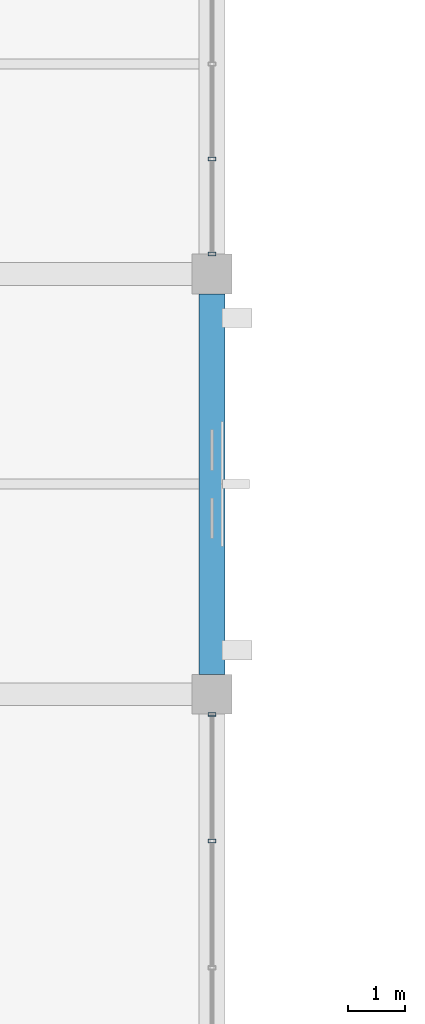
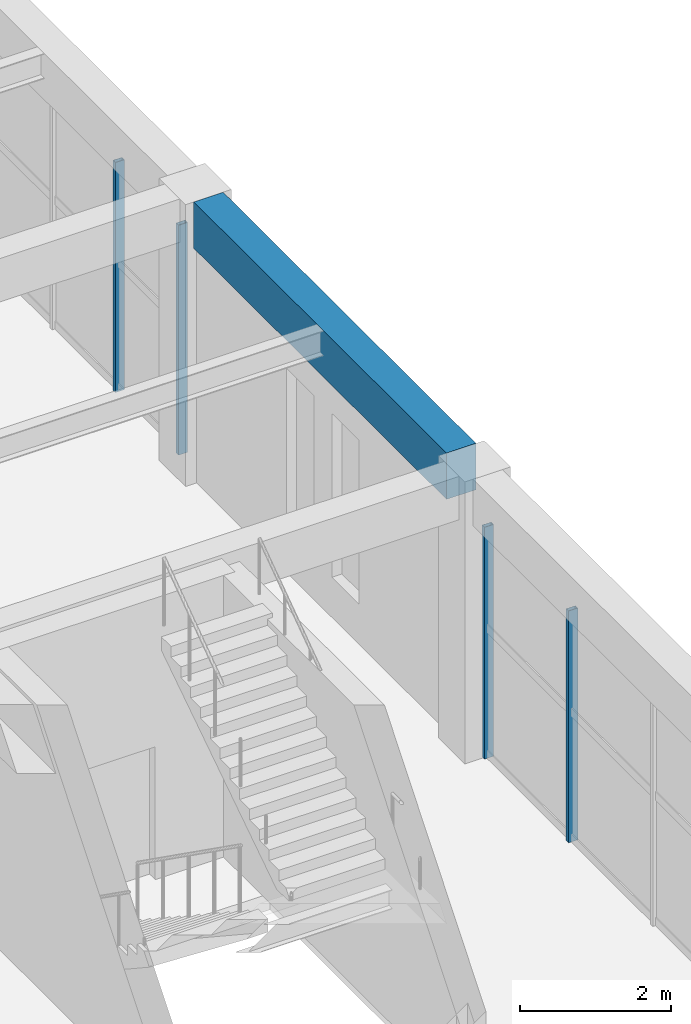
# One storey, part 16 of 161: 4 members, 1 beam, 2 elements without a shape of their own.
"""IFC4 building model written with IfcOpenShell, lengths in metres."""

from ifc_helpers import new_model, si_unit, direction, frame, origin, origin_2d, place, context, subcontext, project, spatial, rectangle, hollow_rectangle, extrude, material, material_profile, profile_set, type_object, element, aggregate, save


model = new_model("IFC4")

# Units and contexts
model_context = context("Model", 3, precision=1e-05, world=origin(), true_north=direction((0.0, 1.0)))
body_context = subcontext(model_context, "Body", "Model", "MODEL_VIEW")
ifc_project = project(units=[si_unit("LENGTHUNIT", "METRE"), si_unit("AREAUNIT", "SQUARE_METRE"), si_unit("VOLUMEUNIT", "CUBIC_METRE"), si_unit("PLANEANGLEUNIT", "RADIAN"), si_unit("MASSUNIT", "GRAM", prefix="KILO")], contexts=[model_context])

# Site, building, storey
site_placement = place(None, origin())
site = spatial("IfcSite", under=ifc_project, at=site_placement, CompositionType="ELEMENT")
building_placement = place(site_placement, origin())
building = spatial("IfcBuilding", under=site, at=building_placement, Name="Cimatlan Art Gallery", CompositionType="ELEMENT")
storey_placement = place(building_placement, frame((0.0, 0.0, 5.39990234375)))
storey = spatial("IfcBuildingStorey", under=building, at=storey_placement, Name="L01", CompositionType="ELEMENT", Elevation=5.39990234375)

# Beam
ifc_material_1 = material(Name="Concrete C40/50", Category="concrete")
ifc_material_profile_1 = material_profile(ifc_material_1, rectangle(XDim=0.449951171875, YDim=0.75, at=origin_2d()), Name="RC450X750")
ifc_profile_set_1 = profile_set([ifc_material_profile_1], Name="Concrete C40/50")
beam_type = type_object("IfcBeamType", Name="BM-RC-450X750", PredefinedType="BEAM", material=ifc_profile_set_1)
beam_placement = place(storey_placement, frame((18.199951171875, 53.85009765625, 4.18505859375), z_axis=(0.0, 1.0, 0.0), x_axis=(-1.0, 0.0, 0.0)))
element("IfcBeam", 1, at=beam_placement, inside=storey, type_object=beam_type, Name="BM-Y-L01-02-07", PredefinedType="BEAM", context=body_context, shape_type="SweptSolid", body=[
    extrude(rectangle(XDim=0.449951171875, YDim=0.75, at=origin_2d()), origin(), (0.0, 0.0, 1.0), 6.699951171875),
])

# Curtain wall, members
ifc_material_2 = material(Name="Anodised bronze unitised curtain wall")
curtain_wall_type_1 = type_object("IfcCurtainWallType", Name="CW-V-06692X03750-B3", PredefinedType="NOTDEFINED", material=ifc_material_2)
curtain_wall_1_placement = place(storey_placement, origin())
curtain_wall_1 = element("IfcCurtainWall", 2, at=curtain_wall_1_placement, inside=storey, type_object=curtain_wall_type_1, Name="CW-L01-01-06-E", PredefinedType="NOTDEFINED")
ifc_material_3 = material(Name="Anodised bronze aluminium 6063-T6", Category="aluminium")
ifc_material_profile_2 = material_profile(ifc_material_3, hollow_rectangle(XDim=0.06494140625, YDim=0.139892578125, WallThickness=0.00390625, at=origin_2d()), Name="ALU65X140X4")
ifc_profile_set_2 = profile_set([ifc_material_profile_2], Name="Anodised bronze aluminium 6063-T6")
member_type = type_object("IfcMemberType", Name="CW-MUL-140", PredefinedType="MULLION", material=ifc_profile_set_2)
member_1_placement = place(storey_placement, frame((18.199951171875, 53.14599609375, 0.0), z_axis=(0.0, 0.0, 1.0), x_axis=(0.0, 1.0, 0.0)))
member_1 = element("IfcMember", 3, at=member_1_placement, type_object=member_type, Name="CW-L01-01-06-E-M1", PredefinedType="MULLION", context=body_context, shape_type="SweptSolid", body=[
    extrude(hollow_rectangle(XDim=0.06494140625, YDim=0.139892578125, WallThickness=0.00390625, at=origin_2d()), origin(), (0.0, 0.0, 1.0), 3.75),
])
member_2_placement = place(storey_placement, frame((18.199951171875, 50.915283203125, 0.0), z_axis=(0.0, 0.0, 1.0), x_axis=(0.0, 1.0, 0.0)))
member_2 = element("IfcMember", 4, at=member_2_placement, type_object=member_type, Name="CW-L01-01-06-E-M2", PredefinedType="MULLION", context=body_context, shape_type="SweptSolid", body=[
    extrude(hollow_rectangle(XDim=0.06494140625, YDim=0.139892578125, WallThickness=0.00390625, at=origin_2d()), origin(), (0.0, 0.0, 1.0), 3.75),
])
aggregate(curtain_wall_1, [member_1, member_2])

curtain_wall_type_2 = type_object("IfcCurtainWallType", Name="CW-V-06692X03720-B4", PredefinedType="NOTDEFINED", material=ifc_material_2)
curtain_wall_2_placement = place(storey_placement, origin())
curtain_wall_2 = element("IfcCurtainWall", 5, at=curtain_wall_2_placement, inside=storey, type_object=curtain_wall_type_2, Name="CW-L01-01-08-E", PredefinedType="NOTDEFINED")
member_3_placement = place(storey_placement, frame((18.199951171875, 62.927001953125, 0.0), z_axis=(0.0, 0.0, 1.0), x_axis=(0.0, 1.0, 0.0)))
member_3 = element("IfcMember", 6, at=member_3_placement, type_object=member_type, Name="CW-L01-01-08-E-M4", PredefinedType="MULLION", context=body_context, shape_type="SweptSolid", body=[
    extrude(hollow_rectangle(XDim=0.06494140625, YDim=0.139892578125, WallThickness=0.00390625, at=origin_2d()), origin(), (0.0, 0.0, 1.0), 3.72021484375),
])
member_4_placement = place(storey_placement, frame((18.199951171875, 61.25390625, 0.0), z_axis=(0.0, 0.0, 1.0), x_axis=(0.0, 1.0, 0.0)))
member_4 = element("IfcMember", 7, at=member_4_placement, type_object=member_type, Name="CW-L01-01-08-E-M5", PredefinedType="MULLION", context=body_context, shape_type="SweptSolid", body=[
    extrude(hollow_rectangle(XDim=0.06494140625, YDim=0.139892578125, WallThickness=0.00390625, at=origin_2d()), origin(), (0.0, 0.0, 1.0), 3.72021484375),
])
aggregate(curtain_wall_2, [member_3, member_4])

save(model, "model.ifc")
